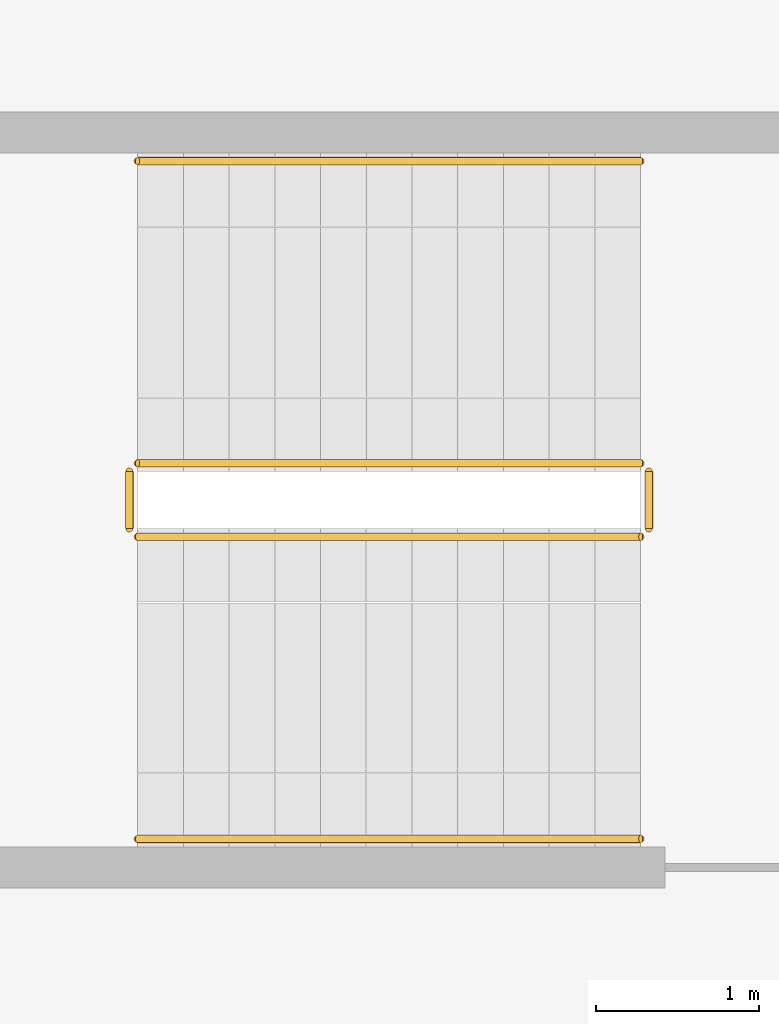
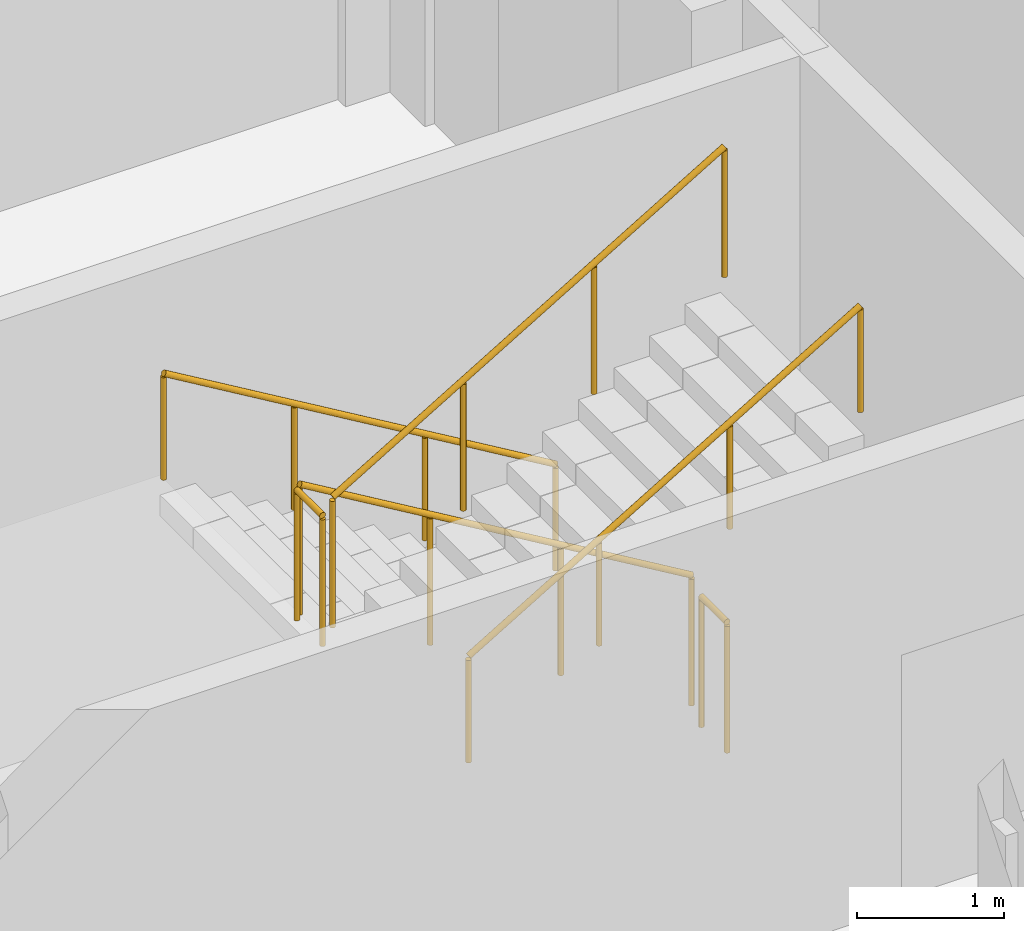
# One storey, part 15 of 15: 1 railing.
"""IFC4 building model written with IfcOpenShell, lengths in metres."""

from ifc_helpers import new_model, si_unit, direction, frame, origin, origin_2d, place, context, subcontext, project, spatial, circle, extrude, material, type_object, element, save


model = new_model("IFC4")

# Units and contexts
model_context = context("Model", 3, precision=1e-05, world=origin(), true_north=direction((0.0, 1.0)))
body_context = subcontext(model_context, "Body", "Model", "MODEL_VIEW")
ifc_project = project(units=[si_unit("LENGTHUNIT", "METRE"), si_unit("AREAUNIT", "SQUARE_METRE"), si_unit("VOLUMEUNIT", "CUBIC_METRE"), si_unit("PLANEANGLEUNIT", "RADIAN"), si_unit("MASSUNIT", "GRAM", prefix="KILO")], contexts=[model_context])

# Site, building, storey
site_placement = place(None, origin())
site = spatial("IfcSite", under=ifc_project, at=site_placement, CompositionType="ELEMENT")
building_placement = place(site_placement, origin())
building = spatial("IfcBuilding", under=site, at=building_placement, Name="Corbelhall Arena Tower", CompositionType="ELEMENT")
storey_placement = place(building_placement, frame((0.0, 0.0, 228.0)))
storey = spatial("IfcBuildingStorey", under=building, at=storey_placement, Name="L48", CompositionType="ELEMENT", Elevation=228.0)

# Railing
ifc_material = material(Name="Steel ASTM A500 Gr C", Category="steel")
railing_type = type_object("IfcRailingType", Name="IN-GD-1100", PredefinedType="GUARDRAIL", material=ifc_material)
railing_placement = place(storey_placement, frame((11.425048828125, 14.77490234375, 0.166748046875)))
element("IfcRailing", 1, at=railing_placement, inside=storey, type_object=railing_type, Name="L48 ST3 stair guards and handrails", PredefinedType="GUARDRAIL", context=body_context, shape_type="SweptSolid", body=[
    extrude(circle(Radius=0.02392578125, at=origin_2d()), frame((0.0, 0.0, 1.076171875), z_axis=(-0.859308565015, 0.0, 0.511457515432), x_axis=(0.0, -1.0, 0.0)), (0.0, 0.0, 1.0), 3.58447265625),
    extrude(circle(Radius=0.02392578125, at=origin_2d()), frame((-3.130126953125, -0.0498046875, 2.9091796875), z_axis=(0.0, -1.0, 0.0), x_axis=(1.0, 0.0, 0.0)), (0.0, 0.0, 1.0), 0.35009765625),
    extrude(circle(Radius=0.02392578125, at=origin_2d()), frame((-3.080078125, -0.449951171875, 3.076171875), z_axis=(0.859308565015, 0.0, 0.511457515432), x_axis=(0.0, 1.0, 0.0)), (0.0, 0.0, 1.0), 3.58447265625),
    extrude(circle(Radius=0.02392578125, at=origin_2d()), frame((0.050048828125, -0.0498046875, 0.9091796875), z_axis=(0.0, -1.0, 0.0), x_axis=(1.0, 0.0, 0.0)), (0.0, 0.0, 1.0), 0.35009765625),
    extrude(circle(Radius=0.02392578125, at=origin_2d()), frame((0.0, 1.85009765625, 0.8759765625), z_axis=(-0.859308565015, 0.0, 0.511457515432), x_axis=(0.0, -1.0, 0.0)), (0.0, 0.0, 1.0), 3.58447265625),
    extrude(circle(Radius=0.02392578125, at=origin_2d()), frame((-3.080078125, -2.2998046875, 2.8759765625), z_axis=(0.859308565015, 0.0, 0.511457515432), x_axis=(0.0, 1.0, 0.0)), (0.0, 0.0, 1.0), 3.58447265625),
    extrude(circle(Radius=0.02099609375, at=origin_2d()), origin(), (0.0, 0.0, 1.0), 1.052001953125),
    extrude(circle(Radius=0.02099609375, at=origin_2d()), frame((-1.026611328125, 0.0, 0.611083984375)), (0.0, 0.0, 1.0), 1.052001953125),
    extrude(circle(Radius=0.02099609375, at=origin_2d()), frame((-2.053466796875, 0.0, 1.22216796875)), (0.0, 0.0, 1.0), 1.052001953125),
    extrude(circle(Radius=0.02099609375, at=origin_2d()), frame((-3.080078125, 0.0, 1.833251953125)), (0.0, 0.0, 1.0), 1.052001953125),
    extrude(circle(Radius=0.02099609375, at=origin_2d()), frame((-3.130126953125, -0.0498046875, 1.833251953125)), (0.0, 0.0, 1.0), 1.052001953125),
    extrude(circle(Radius=0.02099609375, at=origin_2d()), frame((-3.130126953125, -0.39990234375, 1.833251953125)), (0.0, 0.0, 1.0), 1.052001953125),
    extrude(circle(Radius=0.02099609375, at=origin_2d()), frame((-3.080078125, -0.449951171875, 2.0)), (0.0, 0.0, 1.0), 1.052001953125),
    extrude(circle(Radius=0.02099609375, at=origin_2d()), frame((-2.053466796875, -0.449951171875, 2.611083984375)), (0.0, 0.0, 1.0), 1.052001953125),
    extrude(circle(Radius=0.02099609375, at=origin_2d()), frame((-1.026611328125, -0.449951171875, 3.22216796875)), (0.0, 0.0, 1.0), 1.052001953125),
    extrude(circle(Radius=0.02099609375, at=origin_2d()), frame((0.0, -0.449951171875, 3.833251953125)), (0.0, 0.0, 1.0), 1.052001953125),
    extrude(circle(Radius=0.02099609375, at=origin_2d()), frame((0.050048828125, -0.0498046875, -0.166748046875)), (0.0, 0.0, 1.0), 1.052001953125),
    extrude(circle(Radius=0.02099609375, at=origin_2d()), frame((0.050048828125, -0.39990234375, -0.166748046875)), (0.0, 0.0, 1.0), 1.052001953125),
    extrude(circle(Radius=0.02099609375, at=origin_2d()), frame((0.0, 1.85009765625, 0.0)), (0.0, 0.0, 1.0), 0.851806640625),
    extrude(circle(Radius=0.02099609375, at=origin_2d()), frame((-1.026611328125, 1.85009765625, 0.611083984375)), (0.0, 0.0, 1.0), 0.851806640625),
    extrude(circle(Radius=0.02099609375, at=origin_2d()), frame((-2.053466796875, 1.85009765625, 1.22216796875)), (0.0, 0.0, 1.0), 0.851806640625),
    extrude(circle(Radius=0.02099609375, at=origin_2d()), frame((-3.080078125, 1.85009765625, 1.833251953125)), (0.0, 0.0, 1.0), 0.851806640625),
    extrude(circle(Radius=0.02099609375, at=origin_2d()), frame((-3.080078125, -2.2998046875, 2.0)), (0.0, 0.0, 1.0), 0.851806640625),
    extrude(circle(Radius=0.02099609375, at=origin_2d()), frame((-2.053466796875, -2.2998046875, 2.611083984375)), (0.0, 0.0, 1.0), 0.851806640625),
    extrude(circle(Radius=0.02099609375, at=origin_2d()), frame((-1.026611328125, -2.2998046875, 3.22216796875)), (0.0, 0.0, 1.0), 0.851806640625),
    extrude(circle(Radius=0.02099609375, at=origin_2d()), frame((0.0, -2.2998046875, 3.833251953125)), (0.0, 0.0, 1.0), 0.851806640625),
])

save(model, "model.ifc")
